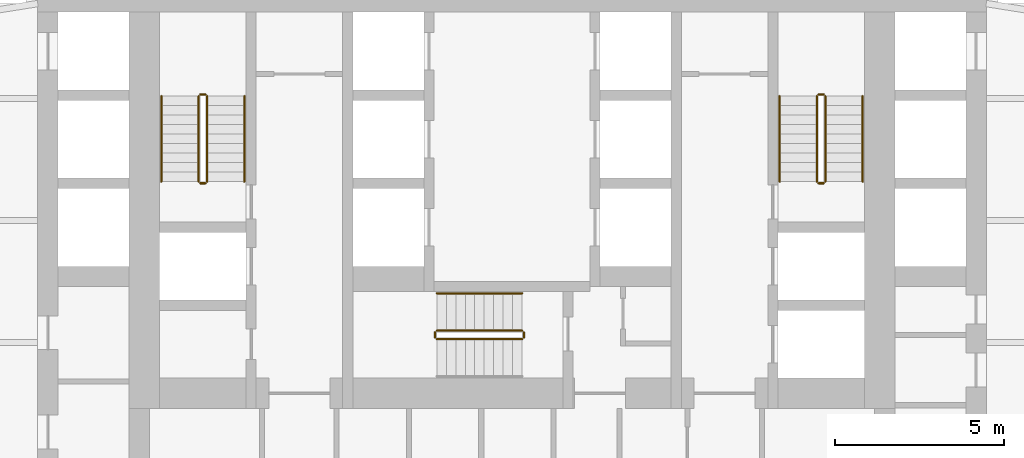
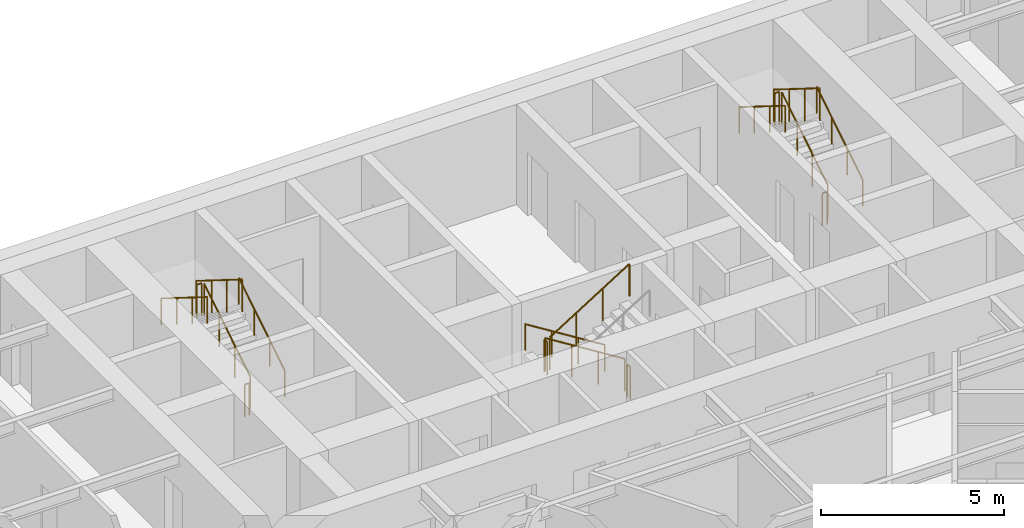
# One storey, part 9 of 9: 17 railings.
"""IFC4 building model written with IfcOpenShell, lengths in metres."""

from ifc_helpers import new_model, si_unit, direction, frame, origin, origin_2d, place, context, subcontext, project, spatial, circle, extrude, material, type_object, element, save


model = new_model("IFC4")

# Units and contexts
model_context = context("Model", 3, precision=1e-05, world=origin(), true_north=direction((0.0, 1.0)))
body_context = subcontext(model_context, "Body", "Model", "MODEL_VIEW")
ifc_project = project(units=[si_unit("LENGTHUNIT", "METRE"), si_unit("AREAUNIT", "SQUARE_METRE"), si_unit("VOLUMEUNIT", "CUBIC_METRE"), si_unit("PLANEANGLEUNIT", "RADIAN"), si_unit("MASSUNIT", "GRAM", prefix="KILO")], contexts=[model_context])

# Site, building, storey
site_placement = place(None, origin())
site = spatial("IfcSite", under=ifc_project, at=site_placement, CompositionType="ELEMENT")
building_placement = place(site_placement, origin())
building = spatial("IfcBuilding", under=site, at=building_placement, Name="Aloe Facet Convention Tower", CompositionType="ELEMENT")
storey_placement = place(building_placement, frame((0.0, 0.0, 106.300048828125)))
storey = spatial("IfcBuildingStorey", under=building, at=storey_placement, Name="L26", CompositionType="ELEMENT", Elevation=106.300048828125)

# Railings
ifc_material_1 = material(Name="Steel S355 balustrade", Category="steel")
railing_type_1 = type_object("IfcRailingType", Name="CR-RL-GUARD", PredefinedType="GUARDRAIL", material=ifc_material_1)
railing_1_placement = place(storey_placement, frame((71.0, 128.949951171875, 0.175048828125)))
element("IfcRailing", 1, at=railing_1_placement, inside=storey, type_object=railing_type_1, Name="L26 ST1 stair guard 1", PredefinedType="GUARDRAIL", context=body_context, shape_type="SweptSolid", body=[
    extrude(circle(Radius=0.02392578125, at=origin_2d()), frame((0.0, 0.0, 1.076171875), z_axis=(0.0, 0.848007534815, 0.529984170421), x_axis=(-1.0, 0.0, 0.0)), (0.0, 0.0, 1.0), 2.9716796875),
    extrude(circle(Radius=0.02099609375, at=origin_2d()), origin(), (0.0, 0.0, 1.0), 1.052001953125),
    extrude(circle(Radius=0.02099609375, at=origin_2d()), frame((0.0, 0.840087890625, 0.52490234375)), (0.0, 0.0, 1.0), 1.052001953125),
    extrude(circle(Radius=0.02099609375, at=origin_2d()), frame((0.0, 1.679931640625, 1.050048828125)), (0.0, 0.0, 1.0), 1.052001953125),
    extrude(circle(Radius=0.02099609375, at=origin_2d()), frame((0.0, 2.52001953125, 1.574951171875)), (0.0, 0.0, 1.0), 1.052001953125),
])
railing_2_placement = place(storey_placement, frame((70.949951171875, 131.52001953125, 1.75)))
element("IfcRailing", 2, at=railing_2_placement, inside=storey, type_object=railing_type_1, Name="L26 ST1 stair guard 2", PredefinedType="GUARDRAIL", context=body_context, shape_type="SweptSolid", body=[
    extrude(circle(Radius=0.02392578125, at=origin_2d()), frame((0.0, 0.0, 1.076171875), z_axis=(-1.0, 0.0, 0.0), x_axis=(0.0, -1.0, 0.0)), (0.0, 0.0, 1.0), 0.14990234375),
    extrude(circle(Radius=0.02099609375, at=origin_2d()), origin(), (0.0, 0.0, 1.0), 1.052001953125),
    extrude(circle(Radius=0.02099609375, at=origin_2d()), frame((-0.14990234375, 0.0, 0.0)), (0.0, 0.0, 1.0), 1.052001953125),
])
railing_3_placement = place(storey_placement, frame((70.75, 131.469970703125, 1.925048828125)))
element("IfcRailing", 3, at=railing_3_placement, inside=storey, type_object=railing_type_1, Name="L26 ST1 stair guard 3", PredefinedType="GUARDRAIL", context=body_context, shape_type="SweptSolid", body=[
    extrude(circle(Radius=0.02392578125, at=origin_2d()), frame((0.0, 0.0, 1.076171875), z_axis=(0.0, -0.848007534815, 0.529984170421), x_axis=(1.0, 0.0, 0.0)), (0.0, 0.0, 1.0), 2.9716796875),
    extrude(circle(Radius=0.02099609375, at=origin_2d()), origin(), (0.0, 0.0, 1.0), 1.052001953125),
    extrude(circle(Radius=0.02099609375, at=origin_2d()), frame((0.0, -0.840087890625, 0.52490234375)), (0.0, 0.0, 1.0), 1.052001953125),
    extrude(circle(Radius=0.02099609375, at=origin_2d()), frame((0.0, -1.679931640625, 1.050048828125)), (0.0, 0.0, 1.0), 1.052001953125),
    extrude(circle(Radius=0.02099609375, at=origin_2d()), frame((0.0, -2.52001953125, 1.574951171875)), (0.0, 0.0, 1.0), 1.052001953125),
])
railing_4_placement = place(storey_placement, frame((70.949951171875, 128.89990234375, 0.0)))
element("IfcRailing", 4, at=railing_4_placement, inside=storey, type_object=railing_type_1, Name="L26 ST1 stair guard 4", PredefinedType="GUARDRAIL", context=body_context, shape_type="SweptSolid", body=[
    extrude(circle(Radius=0.02392578125, at=origin_2d()), frame((0.0, 0.0, 1.076171875), z_axis=(-1.0, 0.0, 0.0), x_axis=(0.0, -1.0, 0.0)), (0.0, 0.0, 1.0), 0.14990234375),
    extrude(circle(Radius=0.02099609375, at=origin_2d()), origin(), (0.0, 0.0, 1.0), 1.052001953125),
    extrude(circle(Radius=0.02099609375, at=origin_2d()), frame((-0.14990234375, 0.0, 0.0)), (0.0, 0.0, 1.0), 1.052001953125),
])
railing_5_placement = place(storey_placement, frame((89.25, 128.949951171875, 0.175048828125)))
element("IfcRailing", 5, at=railing_5_placement, inside=storey, type_object=railing_type_1, Name="L26 ST2 stair guard 1", PredefinedType="GUARDRAIL", context=body_context, shape_type="SweptSolid", body=[
    extrude(circle(Radius=0.02392578125, at=origin_2d()), frame((0.0, 0.0, 1.076171875), z_axis=(0.0, 0.848007534815, 0.529984170421), x_axis=(-1.0, 0.0, 0.0)), (0.0, 0.0, 1.0), 2.9716796875),
    extrude(circle(Radius=0.02099609375, at=origin_2d()), origin(), (0.0, 0.0, 1.0), 1.052001953125),
    extrude(circle(Radius=0.02099609375, at=origin_2d()), frame((0.0, 0.840087890625, 0.52490234375)), (0.0, 0.0, 1.0), 1.052001953125),
    extrude(circle(Radius=0.02099609375, at=origin_2d()), frame((0.0, 1.679931640625, 1.050048828125)), (0.0, 0.0, 1.0), 1.052001953125),
    extrude(circle(Radius=0.02099609375, at=origin_2d()), frame((0.0, 2.52001953125, 1.574951171875)), (0.0, 0.0, 1.0), 1.052001953125),
])
railing_6_placement = place(storey_placement, frame((89.199951171875, 131.52001953125, 1.75)))
element("IfcRailing", 6, at=railing_6_placement, inside=storey, type_object=railing_type_1, Name="L26 ST2 stair guard 2", PredefinedType="GUARDRAIL", context=body_context, shape_type="SweptSolid", body=[
    extrude(circle(Radius=0.02392578125, at=origin_2d()), frame((0.0, 0.0, 1.076171875), z_axis=(-1.0, 0.0, 0.0), x_axis=(0.0, -1.0, 0.0)), (0.0, 0.0, 1.0), 0.14990234375),
    extrude(circle(Radius=0.02099609375, at=origin_2d()), origin(), (0.0, 0.0, 1.0), 1.052001953125),
    extrude(circle(Radius=0.02099609375, at=origin_2d()), frame((-0.14990234375, 0.0, 0.0)), (0.0, 0.0, 1.0), 1.052001953125),
])
railing_7_placement = place(storey_placement, frame((89.0, 131.469970703125, 1.925048828125)))
element("IfcRailing", 7, at=railing_7_placement, inside=storey, type_object=railing_type_1, Name="L26 ST2 stair guard 3", PredefinedType="GUARDRAIL", context=body_context, shape_type="SweptSolid", body=[
    extrude(circle(Radius=0.02392578125, at=origin_2d()), frame((0.0, 0.0, 1.076171875), z_axis=(0.0, -0.848007534815, 0.529984170421), x_axis=(1.0, 0.0, 0.0)), (0.0, 0.0, 1.0), 2.9716796875),
    extrude(circle(Radius=0.02099609375, at=origin_2d()), origin(), (0.0, 0.0, 1.0), 1.052001953125),
    extrude(circle(Radius=0.02099609375, at=origin_2d()), frame((0.0, -0.840087890625, 0.52490234375)), (0.0, 0.0, 1.0), 1.052001953125),
    extrude(circle(Radius=0.02099609375, at=origin_2d()), frame((0.0, -1.679931640625, 1.050048828125)), (0.0, 0.0, 1.0), 1.052001953125),
    extrude(circle(Radius=0.02099609375, at=origin_2d()), frame((0.0, -2.52001953125, 1.574951171875)), (0.0, 0.0, 1.0), 1.052001953125),
])
railing_8_placement = place(storey_placement, frame((89.199951171875, 128.89990234375, 0.0)))
element("IfcRailing", 8, at=railing_8_placement, inside=storey, type_object=railing_type_1, Name="L26 ST2 stair guard 4", PredefinedType="GUARDRAIL", context=body_context, shape_type="SweptSolid", body=[
    extrude(circle(Radius=0.02392578125, at=origin_2d()), frame((0.0, 0.0, 1.076171875), z_axis=(-1.0, 0.0, 0.0), x_axis=(0.0, -1.0, 0.0)), (0.0, 0.0, 1.0), 0.14990234375),
    extrude(circle(Radius=0.02099609375, at=origin_2d()), origin(), (0.0, 0.0, 1.0), 1.052001953125),
    extrude(circle(Radius=0.02099609375, at=origin_2d()), frame((-0.14990234375, 0.0, 0.0)), (0.0, 0.0, 1.0), 1.052001953125),
])
railing_9_placement = place(storey_placement, frame((80.300048828125, 124.550048828125, 0.175048828125)))
element("IfcRailing", 9, at=railing_9_placement, inside=storey, type_object=railing_type_1, Name="L26 ST3 stair guard 1", PredefinedType="GUARDRAIL", context=body_context, shape_type="SweptSolid", body=[
    extrude(circle(Radius=0.02392578125, at=origin_2d()), frame((0.0, 0.0, 1.076171875), z_axis=(-0.848007534815, 0.0, 0.529984170421), x_axis=(0.0, -1.0, 0.0)), (0.0, 0.0, 1.0), 2.9716796875),
    extrude(circle(Radius=0.02099609375, at=origin_2d()), origin(), (0.0, 0.0, 1.0), 1.052001953125),
    extrude(circle(Radius=0.02099609375, at=origin_2d()), frame((-0.840087890625, 0.0, 0.52490234375)), (0.0, 0.0, 1.0), 1.052001953125),
    extrude(circle(Radius=0.02099609375, at=origin_2d()), frame((-1.679931640625, 0.0, 1.050048828125)), (0.0, 0.0, 1.0), 1.052001953125),
    extrude(circle(Radius=0.02099609375, at=origin_2d()), frame((-2.52001953125, 0.0, 1.574951171875)), (0.0, 0.0, 1.0), 1.052001953125),
])
railing_10_placement = place(storey_placement, frame((77.72998046875, 124.5, 1.75)))
element("IfcRailing", 10, at=railing_10_placement, inside=storey, type_object=railing_type_1, Name="L26 ST3 stair guard 2", PredefinedType="GUARDRAIL", context=body_context, shape_type="SweptSolid", body=[
    extrude(circle(Radius=0.02392578125, at=origin_2d()), frame((0.0, 0.0, 1.076171875), z_axis=(0.0, -1.0, 0.0), x_axis=(1.0, 0.0, 0.0)), (0.0, 0.0, 1.0), 0.14990234375),
    extrude(circle(Radius=0.02099609375, at=origin_2d()), origin(), (0.0, 0.0, 1.0), 1.052001953125),
    extrude(circle(Radius=0.02099609375, at=origin_2d()), frame((0.0, -0.14990234375, 0.0)), (0.0, 0.0, 1.0), 1.052001953125),
])
railing_11_placement = place(storey_placement, frame((77.780029296875, 124.300048828125, 1.925048828125)))
element("IfcRailing", 11, at=railing_11_placement, inside=storey, type_object=railing_type_1, Name="L26 ST3 stair guard 3", PredefinedType="GUARDRAIL", context=body_context, shape_type="SweptSolid", body=[
    extrude(circle(Radius=0.02392578125, at=origin_2d()), frame((0.0, 0.0, 1.076171875), z_axis=(0.848007534815, 0.0, 0.529984170421), x_axis=(0.0, 1.0, 0.0)), (0.0, 0.0, 1.0), 2.9716796875),
    extrude(circle(Radius=0.02099609375, at=origin_2d()), origin(), (0.0, 0.0, 1.0), 1.052001953125),
    extrude(circle(Radius=0.02099609375, at=origin_2d()), frame((0.840087890625, 0.0, 0.52490234375)), (0.0, 0.0, 1.0), 1.052001953125),
    extrude(circle(Radius=0.02099609375, at=origin_2d()), frame((1.679931640625, 0.0, 1.050048828125)), (0.0, 0.0, 1.0), 1.052001953125),
    extrude(circle(Radius=0.02099609375, at=origin_2d()), frame((2.52001953125, 0.0, 1.574951171875)), (0.0, 0.0, 1.0), 1.052001953125),
])
railing_12_placement = place(storey_placement, frame((80.35009765625, 124.5, 0.0)))
element("IfcRailing", 12, at=railing_12_placement, inside=storey, type_object=railing_type_1, Name="L26 ST3 stair guard 4", PredefinedType="GUARDRAIL", context=body_context, shape_type="SweptSolid", body=[
    extrude(circle(Radius=0.02392578125, at=origin_2d()), frame((0.0, 0.0, 1.076171875), z_axis=(0.0, -1.0, 0.0), x_axis=(1.0, 0.0, 0.0)), (0.0, 0.0, 1.0), 0.14990234375),
    extrude(circle(Radius=0.02099609375, at=origin_2d()), origin(), (0.0, 0.0, 1.0), 1.052001953125),
    extrude(circle(Radius=0.02099609375, at=origin_2d()), frame((0.0, -0.14990234375, 0.0)), (0.0, 0.0, 1.0), 1.052001953125),
])
ifc_material_2 = material(Name="Steel S355 handrail", Category="steel")
railing_type_2 = type_object("IfcRailingType", Name="CR-RL-HAND", PredefinedType="HANDRAIL", material=ifc_material_2)
railing_13_placement = place(storey_placement, frame((72.10009765625, 128.949951171875, 0.175048828125)))
element("IfcRailing", 13, at=railing_13_placement, inside=storey, type_object=railing_type_2, Name="L26 ST1 stair handrail 1", PredefinedType="HANDRAIL", context=body_context, shape_type="SweptSolid", body=[
    extrude(circle(Radius=0.02392578125, at=origin_2d()), frame((0.0, 0.0, 0.8759765625), z_axis=(0.0, 0.848007534815, 0.529984170421), x_axis=(-1.0, 0.0, 0.0)), (0.0, 0.0, 1.0), 2.9716796875),
    extrude(circle(Radius=0.02099609375, at=origin_2d()), origin(), (0.0, 0.0, 1.0), 0.851806640625),
    extrude(circle(Radius=0.02099609375, at=origin_2d()), frame((0.0, 0.840087890625, 0.52490234375)), (0.0, 0.0, 1.0), 0.851806640625),
    extrude(circle(Radius=0.02099609375, at=origin_2d()), frame((0.0, 1.679931640625, 1.050048828125)), (0.0, 0.0, 1.0), 0.851806640625),
    extrude(circle(Radius=0.02099609375, at=origin_2d()), frame((0.0, 2.52001953125, 1.574951171875)), (0.0, 0.0, 1.0), 0.851806640625),
])
railing_14_placement = place(storey_placement, frame((69.64990234375, 131.469970703125, 1.925048828125)))
element("IfcRailing", 14, at=railing_14_placement, inside=storey, type_object=railing_type_2, Name="L26 ST1 stair handrail 2", PredefinedType="HANDRAIL", context=body_context, shape_type="SweptSolid", body=[
    extrude(circle(Radius=0.02392578125, at=origin_2d()), frame((0.0, 0.0, 0.8759765625), z_axis=(0.0, -0.848007534815, 0.529984170421), x_axis=(1.0, 0.0, 0.0)), (0.0, 0.0, 1.0), 2.9716796875),
    extrude(circle(Radius=0.02099609375, at=origin_2d()), origin(), (0.0, 0.0, 1.0), 0.851806640625),
    extrude(circle(Radius=0.02099609375, at=origin_2d()), frame((0.0, -0.840087890625, 0.52490234375)), (0.0, 0.0, 1.0), 0.851806640625),
    extrude(circle(Radius=0.02099609375, at=origin_2d()), frame((0.0, -1.679931640625, 1.050048828125)), (0.0, 0.0, 1.0), 0.851806640625),
    extrude(circle(Radius=0.02099609375, at=origin_2d()), frame((0.0, -2.52001953125, 1.574951171875)), (0.0, 0.0, 1.0), 0.851806640625),
])
railing_15_placement = place(storey_placement, frame((90.35009765625, 128.949951171875, 0.175048828125)))
element("IfcRailing", 15, at=railing_15_placement, inside=storey, type_object=railing_type_2, Name="L26 ST2 stair handrail 1", PredefinedType="HANDRAIL", context=body_context, shape_type="SweptSolid", body=[
    extrude(circle(Radius=0.02392578125, at=origin_2d()), frame((0.0, 0.0, 0.8759765625), z_axis=(0.0, 0.848007534815, 0.529984170421), x_axis=(-1.0, 0.0, 0.0)), (0.0, 0.0, 1.0), 2.9716796875),
    extrude(circle(Radius=0.02099609375, at=origin_2d()), origin(), (0.0, 0.0, 1.0), 0.851806640625),
    extrude(circle(Radius=0.02099609375, at=origin_2d()), frame((0.0, 0.840087890625, 0.52490234375)), (0.0, 0.0, 1.0), 0.851806640625),
    extrude(circle(Radius=0.02099609375, at=origin_2d()), frame((0.0, 1.679931640625, 1.050048828125)), (0.0, 0.0, 1.0), 0.851806640625),
    extrude(circle(Radius=0.02099609375, at=origin_2d()), frame((0.0, 2.52001953125, 1.574951171875)), (0.0, 0.0, 1.0), 0.851806640625),
])
railing_16_placement = place(storey_placement, frame((87.89990234375, 131.469970703125, 1.925048828125)))
element("IfcRailing", 16, at=railing_16_placement, inside=storey, type_object=railing_type_2, Name="L26 ST2 stair handrail 2", PredefinedType="HANDRAIL", context=body_context, shape_type="SweptSolid", body=[
    extrude(circle(Radius=0.02392578125, at=origin_2d()), frame((0.0, 0.0, 0.8759765625), z_axis=(0.0, -0.848007534815, 0.529984170421), x_axis=(1.0, 0.0, 0.0)), (0.0, 0.0, 1.0), 2.9716796875),
    extrude(circle(Radius=0.02099609375, at=origin_2d()), origin(), (0.0, 0.0, 1.0), 0.851806640625),
    extrude(circle(Radius=0.02099609375, at=origin_2d()), frame((0.0, -0.840087890625, 0.52490234375)), (0.0, 0.0, 1.0), 0.851806640625),
    extrude(circle(Radius=0.02099609375, at=origin_2d()), frame((0.0, -1.679931640625, 1.050048828125)), (0.0, 0.0, 1.0), 0.851806640625),
    extrude(circle(Radius=0.02099609375, at=origin_2d()), frame((0.0, -2.52001953125, 1.574951171875)), (0.0, 0.0, 1.0), 0.851806640625),
])
railing_17_placement = place(storey_placement, frame((80.300048828125, 125.64990234375, 0.175048828125)))
element("IfcRailing", 17, at=railing_17_placement, inside=storey, type_object=railing_type_2, Name="L26 ST3 stair handrail 1", PredefinedType="HANDRAIL", context=body_context, shape_type="SweptSolid", body=[
    extrude(circle(Radius=0.02392578125, at=origin_2d()), frame((0.0, 0.0, 0.8759765625), z_axis=(-0.848007534815, 0.0, 0.529984170421), x_axis=(0.0, -1.0, 0.0)), (0.0, 0.0, 1.0), 2.9716796875),
    extrude(circle(Radius=0.02099609375, at=origin_2d()), origin(), (0.0, 0.0, 1.0), 0.851806640625),
    extrude(circle(Radius=0.02099609375, at=origin_2d()), frame((-0.840087890625, 0.0, 0.52490234375)), (0.0, 0.0, 1.0), 0.851806640625),
    extrude(circle(Radius=0.02099609375, at=origin_2d()), frame((-1.679931640625, 0.0, 1.050048828125)), (0.0, 0.0, 1.0), 0.851806640625),
    extrude(circle(Radius=0.02099609375, at=origin_2d()), frame((-2.52001953125, 0.0, 1.574951171875)), (0.0, 0.0, 1.0), 0.851806640625),
])

save(model, "model.ifc")
